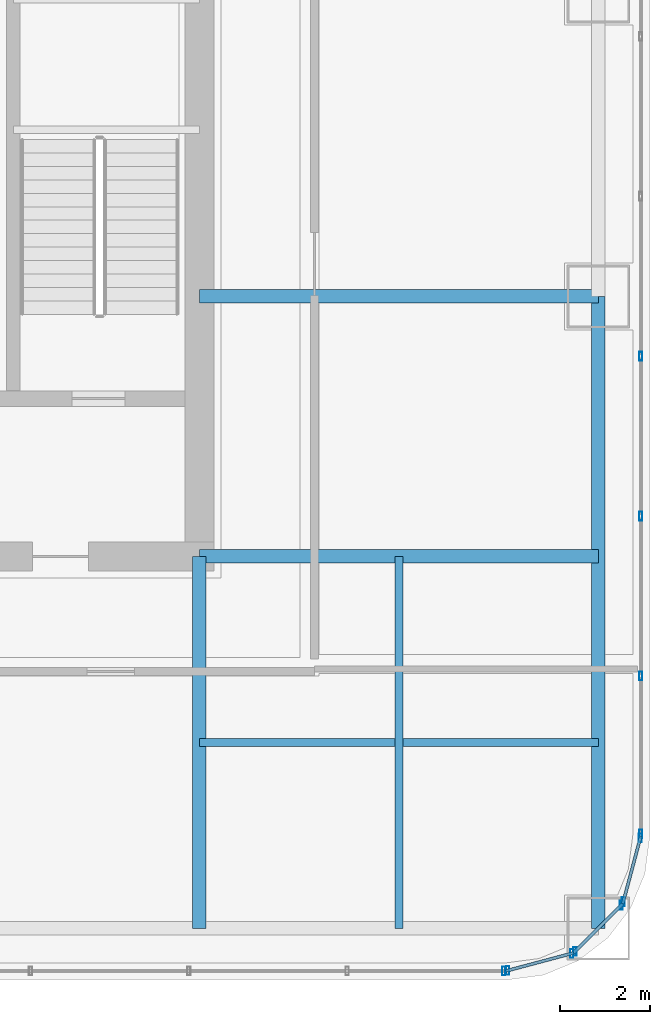
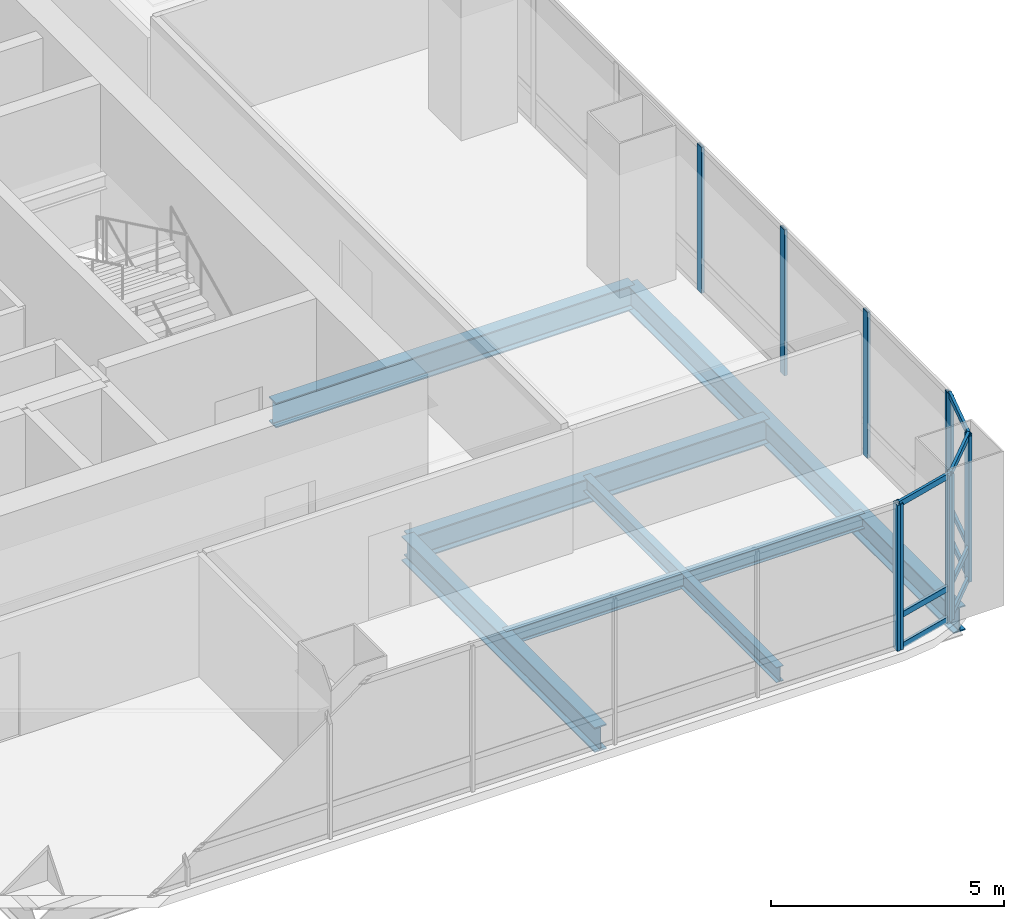
# One storey, part 15 of 37: 20 members, 6 beams, 5 elements without a shape of their own.
"""IFC4 building model written with IfcOpenShell, lengths in metres."""

from ifc_helpers import new_model, si_unit, direction, frame, origin, origin_2d, place, context, subcontext, project, spatial, hollow_rectangle, i_section, extrude, material, material_profile, profile_set, type_object, element, aggregate, save


model = new_model("IFC4")

# Units and contexts
model_context = context("Model", 3, precision=1e-05, world=origin(), true_north=direction((0.0, 1.0)))
body_context = subcontext(model_context, "Body", "Model", "MODEL_VIEW")
ifc_project = project(units=[si_unit("LENGTHUNIT", "METRE"), si_unit("AREAUNIT", "SQUARE_METRE"), si_unit("VOLUMEUNIT", "CUBIC_METRE"), si_unit("PLANEANGLEUNIT", "RADIAN"), si_unit("MASSUNIT", "GRAM", prefix="KILO")], contexts=[model_context])

# Site, building, storey
site_placement = place(None, origin())
site = spatial("IfcSite", under=ifc_project, at=site_placement, CompositionType="ELEMENT")
building_placement = place(site_placement, origin())
building = spatial("IfcBuilding", under=site, at=building_placement, Name="Punatoya Terracotta Tower", CompositionType="ELEMENT")
storey_placement = place(building_placement, frame((0.0, 0.0, 164.10009765625)))
storey = spatial("IfcBuildingStorey", under=building, at=storey_placement, Name="L38", CompositionType="ELEMENT", Elevation=164.10009765625)

# Beams
ifc_material_1 = material(Name="Steel S355", Category="steel")
ifc_material_profile_1 = material_profile(ifc_material_1, i_section(OverallWidth=0.300048828125, OverallDepth=0.64990234375, WebThickness=0.01611328125, FlangeThickness=0.031005859375, FilletRadius=0.01806640625, at=origin_2d()))
ifc_profile_set_1 = profile_set([ifc_material_profile_1], Name="Steel S355")
beam_type_1 = type_object("IfcBeamType", Name="BM-PRI-650", PredefinedType="BEAM", material=ifc_profile_set_1)
beam_1_placement = place(storey_placement, frame((19.10009765625, -17.5, -0.545166015625), z_axis=(0.0, 1.0, 0.0), x_axis=(-1.0, 0.0, 0.0)))
element("IfcBeam", 1, at=beam_1_placement, inside=storey, type_object=beam_type_1, Name="BM-L38-RG-E1", PredefinedType="BEAM", context=body_context, shape_type="SweptSolid", body=[
    extrude(i_section(OverallWidth=0.300048828125, OverallDepth=0.64990234375, WebThickness=0.01611328125, FlangeThickness=0.031005859375, FilletRadius=0.01806640625, at=origin_2d()), origin(), (0.0, 0.0, 1.0), 14.10009765625),
])
for number, where, z_axis, x_axis, name in (
    (2, (10.199951171875, -9.199951171875, -0.545166015625), (1.0, 0.0, 0.0), (0.0, 1.0, 0.0), "BM-L38-PR-ES"),
    (3, (10.199951171875, -3.39990234375, -0.545166015625), (1.0, 0.0, 0.0), (0.0, 1.0, 0.0), "BM-L38-PR-ED"),
):
    element("IfcBeam", number, at=place(storey_placement, frame(where, z_axis=z_axis, x_axis=x_axis)), inside=storey, type_object=beam_type_1, Name=name, PredefinedType="BEAM", context=body_context, shape_type="SweptSolid", body=[
        extrude(i_section(OverallWidth=0.300048828125, OverallDepth=0.64990234375, WebThickness=0.01611328125, FlangeThickness=0.031005859375, FilletRadius=0.01806640625, at=origin_2d()), origin(), (0.0, 0.0, 1.0), 8.900146484375),
    ])
beam_2_placement = place(storey_placement, frame((10.199951171875, -17.5, -0.545166015625), z_axis=(0.0, 1.0, 0.0), x_axis=(-1.0, 0.0, 0.0)))
element("IfcBeam", 4, at=beam_2_placement, inside=storey, type_object=beam_type_1, Name="BM-L38-PR-S4", PredefinedType="BEAM", context=body_context, shape_type="SweptSolid", body=[
    extrude(i_section(OverallWidth=0.300048828125, OverallDepth=0.64990234375, WebThickness=0.01611328125, FlangeThickness=0.031005859375, FilletRadius=0.01806640625, at=origin_2d()), origin(), (0.0, 0.0, 1.0), 8.300048828125),
])
ifc_material_profile_2 = material_profile(ifc_material_1, i_section(OverallWidth=0.179931640625, OverallDepth=0.39990234375, WebThickness=0.008544921875, FlangeThickness=0.013427734375, FilletRadius=0.01806640625, at=origin_2d()))
ifc_profile_set_2 = profile_set([ifc_material_profile_2], Name="Steel S355")
beam_type_2 = type_object("IfcBeamType", Name="BM-SEC-400", PredefinedType="JOIST", material=ifc_profile_set_2)
beam_3_placement = place(storey_placement, frame((10.199951171875, -13.35009765625, -0.420166015625), z_axis=(1.0, 0.0, 0.0), x_axis=(0.0, 1.0, 0.0)))
element("IfcBeam", 5, at=beam_3_placement, inside=storey, type_object=beam_type_2, Name="BM-L38-SJS-2", PredefinedType="JOIST", context=body_context, shape_type="SweptSolid", body=[
    extrude(i_section(OverallWidth=0.179931640625, OverallDepth=0.39990234375, WebThickness=0.008544921875, FlangeThickness=0.013427734375, FilletRadius=0.01806640625, at=origin_2d()), origin(), (0.0, 0.0, 1.0), 8.900146484375),
])
beam_4_placement = place(storey_placement, frame((14.64990234375, -17.5, -0.420166015625), z_axis=(0.0, 1.0, 0.0), x_axis=(-1.0, 0.0, 0.0)))
element("IfcBeam", 6, at=beam_4_placement, inside=storey, type_object=beam_type_2, Name="BM-L38-SJE-1", PredefinedType="JOIST", context=body_context, shape_type="SweptSolid", body=[
    extrude(i_section(OverallWidth=0.179931640625, OverallDepth=0.39990234375, WebThickness=0.008544921875, FlangeThickness=0.013427734375, FilletRadius=0.01806640625, at=origin_2d()), origin(), (0.0, 0.0, 1.0), 8.300048828125),
])

# Curtain wall, member
ifc_material_2 = material(Name="Aluminium 6063-T6 + Double Low-E Glass", Category="aluminium")
curtain_wall_type = type_object("IfcCurtainWallType", Name="CW-M2", PredefinedType="NOTDEFINED", material=ifc_material_2)
curtain_wall_1_placement = place(storey_placement, origin())
curtain_wall_1 = element("IfcCurtainWall", 7, at=curtain_wall_1_placement, inside=storey, type_object=curtain_wall_type, Name="L38 Curtain Wall CW-L38-S01-1", PredefinedType="NOTDEFINED")
ifc_material_3 = material(Name="Aluminium 6063-T6", Category="aluminium")
ifc_material_profile_3 = material_profile(ifc_material_3, hollow_rectangle(XDim=0.072021484375, YDim=0.195068359375, WallThickness=0.00439453125, at=origin_2d()))
ifc_profile_set_3 = profile_set([ifc_material_profile_3], Name="Aluminium 6063-T6")
member_type_1 = type_object("IfcMemberType", Name="CW-MUL-M2", PredefinedType="MULLION", material=ifc_profile_set_3)
member_1_placement = place(storey_placement, frame((16.991943359375, -18.449951171875, 0.0), z_axis=(0.0, 0.0, 1.0), x_axis=(1.0, 0.0, 0.0)))
member_1 = element("IfcMember", 8, at=member_1_placement, type_object=member_type_1, Name="CW-L38-S01-1 Mullion 11", PredefinedType="MULLION", context=body_context, shape_type="SweptSolid", body=[
    extrude(hollow_rectangle(XDim=0.072021484375, YDim=0.195068359375, WallThickness=0.00439453125, at=origin_2d()), origin(), (0.0, 0.0, 1.0), 3.829833984375),
])
aggregate(curtain_wall_1, [member_1])

# Curtain wall, members
curtain_wall_2_placement = place(storey_placement, origin())
curtain_wall_2 = element("IfcCurtainWall", 9, at=curtain_wall_2_placement, inside=storey, type_object=curtain_wall_type, Name="L38 Curtain Wall CW-L38-CRN02", PredefinedType="NOTDEFINED")
member_2_placement = place(storey_placement, frame((17.080322265625, -18.4384765625, 0.0), z_axis=(0.0, 0.0, 1.0), x_axis=(1.0, 0.0, 0.0)))
member_2 = element("IfcMember", 10, at=member_2_placement, type_object=member_type_1, Name="CW-L38-CRN02 Mullion 00", PredefinedType="MULLION", context=body_context, shape_type="SweptSolid", body=[
    extrude(hollow_rectangle(XDim=0.072021484375, YDim=0.195068359375, WallThickness=0.00439453125, at=origin_2d()), origin(), (0.0, 0.0, 1.0), 3.829833984375),
])
member_3_placement = place(storey_placement, frame((18.505615234375, -18.05810546875, 0.0), z_axis=(0.0, 0.0, 1.0), x_axis=(1.0, 0.0, 0.0)))
member_3 = element("IfcMember", 11, at=member_3_placement, type_object=member_type_1, Name="CW-L38-CRN02 Mullion 01", PredefinedType="MULLION", context=body_context, shape_type="SweptSolid", body=[
    extrude(hollow_rectangle(XDim=0.072021484375, YDim=0.195068359375, WallThickness=0.00439453125, at=origin_2d()), origin(), (0.0, 0.0, 1.0), 3.829833984375),
])

curtain_wall_3_placement = place(storey_placement, origin())
curtain_wall_3 = element("IfcCurtainWall", 12, at=curtain_wall_3_placement, inside=storey, type_object=curtain_wall_type, Name="L38 Curtain Wall CW-L38-CRN03", PredefinedType="NOTDEFINED")
member_4_placement = place(storey_placement, frame((18.580810546875, -18.014892578125, 0.0), z_axis=(0.0, 0.0, 1.0), x_axis=(1.0, 0.0, 0.0)))
member_4 = element("IfcMember", 13, at=member_4_placement, type_object=member_type_1, Name="CW-L38-CRN03 Mullion 00", PredefinedType="MULLION", context=body_context, shape_type="SweptSolid", body=[
    extrude(hollow_rectangle(XDim=0.072021484375, YDim=0.195068359375, WallThickness=0.00439453125, at=origin_2d()), origin(), (0.0, 0.0, 1.0), 3.829833984375),
])
member_5_placement = place(storey_placement, frame((19.61474609375, -16.98095703125, 0.0), z_axis=(0.0, 0.0, 1.0), x_axis=(1.0, 0.0, 0.0)))
member_5 = element("IfcMember", 14, at=member_5_placement, type_object=member_type_1, Name="CW-L38-CRN03 Mullion 01", PredefinedType="MULLION", context=body_context, shape_type="SweptSolid", body=[
    extrude(hollow_rectangle(XDim=0.072021484375, YDim=0.195068359375, WallThickness=0.00439453125, at=origin_2d()), origin(), (0.0, 0.0, 1.0), 3.829833984375),
])

curtain_wall_4_placement = place(storey_placement, origin())
curtain_wall_4 = element("IfcCurtainWall", 15, at=curtain_wall_4_placement, inside=storey, type_object=curtain_wall_type, Name="L38 Curtain Wall CW-L38-CRN04", PredefinedType="NOTDEFINED")
member_6_placement = place(storey_placement, frame((19.658203125, -16.905517578125, 0.0), z_axis=(0.0, 0.0, 1.0), x_axis=(1.0, 0.0, 0.0)))
member_6 = element("IfcMember", 16, at=member_6_placement, type_object=member_type_1, Name="CW-L38-CRN04 Mullion 00", PredefinedType="MULLION", context=body_context, shape_type="SweptSolid", body=[
    extrude(hollow_rectangle(XDim=0.072021484375, YDim=0.195068359375, WallThickness=0.00439453125, at=origin_2d()), origin(), (0.0, 0.0, 1.0), 3.829833984375),
])
member_7_placement = place(storey_placement, frame((20.038330078125, -15.48046875, 0.0), z_axis=(0.0, 0.0, 1.0), x_axis=(1.0, 0.0, 0.0)))
member_7 = element("IfcMember", 17, at=member_7_placement, type_object=member_type_1, Name="CW-L38-CRN04 Mullion 01", PredefinedType="MULLION", context=body_context, shape_type="SweptSolid", body=[
    extrude(hollow_rectangle(XDim=0.072021484375, YDim=0.195068359375, WallThickness=0.00439453125, at=origin_2d()), origin(), (0.0, 0.0, 1.0), 3.829833984375),
])

curtain_wall_5_placement = place(storey_placement, origin())
curtain_wall_5 = element("IfcCurtainWall", 18, at=curtain_wall_5_placement, inside=storey, type_object=curtain_wall_type, Name="L38 Curtain Wall CW-L38-E05-1", PredefinedType="NOTDEFINED")
member_8_placement = place(storey_placement, frame((20.050048828125, -15.391845703125, 0.0), z_axis=(0.0, 0.0, 1.0), x_axis=(1.0, 0.0, 0.0)))
member_8 = element("IfcMember", 19, at=member_8_placement, type_object=member_type_1, Name="CW-L38-E05-1 Mullion 00", PredefinedType="MULLION", context=body_context, shape_type="SweptSolid", body=[
    extrude(hollow_rectangle(XDim=0.072021484375, YDim=0.195068359375, WallThickness=0.00439453125, at=origin_2d()), origin(), (0.0, 0.0, 1.0), 3.829833984375),
])
member_9_placement = place(storey_placement, frame((20.050048828125, -11.869384765625, 0.0), z_axis=(0.0, 0.0, 1.0), x_axis=(1.0, 0.0, 0.0)))
member_9 = element("IfcMember", 20, at=member_9_placement, type_object=member_type_1, Name="CW-L38-E05-1 Mullion 01", PredefinedType="MULLION", context=body_context, shape_type="SweptSolid", body=[
    extrude(hollow_rectangle(XDim=0.072021484375, YDim=0.195068359375, WallThickness=0.00439453125, at=origin_2d()), origin(), (0.0, 0.0, 1.0), 3.829833984375),
])
member_10_placement = place(storey_placement, frame((20.050048828125, -8.302001953125, 0.0), z_axis=(0.0, 0.0, 1.0), x_axis=(1.0, 0.0, 0.0)))
member_10 = element("IfcMember", 21, at=member_10_placement, type_object=member_type_1, Name="CW-L38-E05-1 Mullion 02", PredefinedType="MULLION", context=body_context, shape_type="SweptSolid", body=[
    extrude(hollow_rectangle(XDim=0.072021484375, YDim=0.195068359375, WallThickness=0.00439453125, at=origin_2d()), origin(), (0.0, 0.0, 1.0), 3.829833984375),
])
member_11_placement = place(storey_placement, frame((20.050048828125, -4.73486328125, 0.0), z_axis=(0.0, 0.0, 1.0), x_axis=(1.0, 0.0, 0.0)))
member_11 = element("IfcMember", 22, at=member_11_placement, type_object=member_type_1, Name="CW-L38-E05-1 Mullion 03", PredefinedType="MULLION", context=body_context, shape_type="SweptSolid", body=[
    extrude(hollow_rectangle(XDim=0.072021484375, YDim=0.195068359375, WallThickness=0.00439453125, at=origin_2d()), origin(), (0.0, 0.0, 1.0), 3.829833984375),
])
aggregate(curtain_wall_5, [member_8, member_9, member_10, member_11])

# Member
ifc_material_profile_4 = material_profile(ifc_material_3, hollow_rectangle(XDim=0.068115234375, YDim=0.14990234375, WallThickness=0.00390625, at=origin_2d()))
ifc_profile_set_4 = profile_set([ifc_material_profile_4], Name="Aluminium 6063-T6")
member_type_2 = type_object("IfcMemberType", Name="CW-TRN-TYP", PredefinedType="USERDEFINED", material=ifc_profile_set_4)
member_12_placement = place(storey_placement, frame((17.036865234375, -18.449951171875, 0.039794921875), z_axis=(0.966224582397, 0.257701486942, 0.0), x_axis=(-0.257701486942, 0.966224582397, 0.0)))
member_12 = element("IfcMember", 23, at=member_12_placement, type_object=member_type_2, Name="CW-L38-CRN02 Transom 1", ObjectType="TRANSOM", PredefinedType="USERDEFINED", context=body_context, shape_type="SweptSolid", body=[
    extrude(hollow_rectangle(XDim=0.068115234375, YDim=0.14990234375, WallThickness=0.00390625, at=origin_2d()), origin(), (0.0, 0.0, 1.0), 1.565185546875),
])

member_13_placement = place(storey_placement, frame((17.036865234375, -18.449951171875, 0.849853515625), z_axis=(0.966224582397, 0.257701486942, 0.0), x_axis=(-0.257701486942, 0.966224582397, 0.0)))
member_13 = element("IfcMember", 24, at=member_13_placement, type_object=member_type_2, Name="CW-L38-CRN02 Transom 2", ObjectType="TRANSOM", PredefinedType="USERDEFINED", context=body_context, shape_type="SweptSolid", body=[
    extrude(hollow_rectangle(XDim=0.068115234375, YDim=0.14990234375, WallThickness=0.00390625, at=origin_2d()), origin(), (0.0, 0.0, 1.0), 1.565185546875),
])

member_14_placement = place(storey_placement, frame((17.036865234375, -18.449951171875, 3.789794921875), z_axis=(0.966224582397, 0.257701486942, 0.0), x_axis=(-0.257701486942, 0.966224582397, 0.0)))
member_14 = element("IfcMember", 25, at=member_14_placement, type_object=member_type_2, Name="CW-L38-CRN02 Transom 3", ObjectType="TRANSOM", PredefinedType="USERDEFINED", context=body_context, shape_type="SweptSolid", body=[
    extrude(hollow_rectangle(XDim=0.068115234375, YDim=0.14990234375, WallThickness=0.00390625, at=origin_2d()), origin(), (0.0, 0.0, 1.0), 1.565185546875),
])

aggregate(curtain_wall_2, [member_2, member_3, member_12, member_13, member_14])

member_15_placement = place(storey_placement, frame((18.549072265625, -18.046630859375, 0.039794921875), z_axis=(0.707106781187, 0.707106781187, 0.0), x_axis=(-0.707106781187, 0.707106781187, 0.0)))
member_15 = element("IfcMember", 26, at=member_15_placement, type_object=member_type_2, Name="CW-L38-CRN03 Transom 1", ObjectType="TRANSOM", PredefinedType="USERDEFINED", context=body_context, shape_type="SweptSolid", body=[
    extrude(hollow_rectangle(XDim=0.068115234375, YDim=0.14990234375, WallThickness=0.00390625, at=origin_2d()), origin(), (0.0, 0.0, 1.0), 1.552001953125),
])

member_16_placement = place(storey_placement, frame((18.549072265625, -18.046630859375, 0.849853515625), z_axis=(0.707106781187, 0.707106781187, 0.0), x_axis=(-0.707106781187, 0.707106781187, 0.0)))
member_16 = element("IfcMember", 27, at=member_16_placement, type_object=member_type_2, Name="CW-L38-CRN03 Transom 2", ObjectType="TRANSOM", PredefinedType="USERDEFINED", context=body_context, shape_type="SweptSolid", body=[
    extrude(hollow_rectangle(XDim=0.068115234375, YDim=0.14990234375, WallThickness=0.00390625, at=origin_2d()), origin(), (0.0, 0.0, 1.0), 1.552001953125),
])

member_17_placement = place(storey_placement, frame((18.549072265625, -18.046630859375, 3.789794921875), z_axis=(0.707106781187, 0.707106781187, 0.0), x_axis=(-0.707106781187, 0.707106781187, 0.0)))
member_17 = element("IfcMember", 28, at=member_17_placement, type_object=member_type_2, Name="CW-L38-CRN03 Transom 3", ObjectType="TRANSOM", PredefinedType="USERDEFINED", context=body_context, shape_type="SweptSolid", body=[
    extrude(hollow_rectangle(XDim=0.068115234375, YDim=0.14990234375, WallThickness=0.00390625, at=origin_2d()), origin(), (0.0, 0.0, 1.0), 1.552001953125),
])

aggregate(curtain_wall_3, [member_4, member_5, member_15, member_16, member_17])

member_18_placement = place(storey_placement, frame((19.646484375, -16.94921875, 0.039794921875), z_axis=(0.257847112249, 0.966185730957, 0.0), x_axis=(-0.966185730957, 0.257847112249, 0.0)))
member_18 = element("IfcMember", 29, at=member_18_placement, type_object=member_type_2, Name="CW-L38-CRN04 Transom 1", ObjectType="TRANSOM", PredefinedType="USERDEFINED", context=body_context, shape_type="SweptSolid", body=[
    extrude(hollow_rectangle(XDim=0.068115234375, YDim=0.14990234375, WallThickness=0.00390625, at=origin_2d()), origin(), (0.0, 0.0, 1.0), 1.565185546875),
])

member_19_placement = place(storey_placement, frame((19.646484375, -16.94921875, 0.849853515625), z_axis=(0.257847112249, 0.966185730957, 0.0), x_axis=(-0.966185730957, 0.257847112249, 0.0)))
member_19 = element("IfcMember", 30, at=member_19_placement, type_object=member_type_2, Name="CW-L38-CRN04 Transom 2", ObjectType="TRANSOM", PredefinedType="USERDEFINED", context=body_context, shape_type="SweptSolid", body=[
    extrude(hollow_rectangle(XDim=0.068115234375, YDim=0.14990234375, WallThickness=0.00390625, at=origin_2d()), origin(), (0.0, 0.0, 1.0), 1.565185546875),
])

member_20_placement = place(storey_placement, frame((19.646484375, -16.94921875, 3.789794921875), z_axis=(0.257847112249, 0.966185730957, 0.0), x_axis=(-0.966185730957, 0.257847112249, 0.0)))
member_20 = element("IfcMember", 31, at=member_20_placement, type_object=member_type_2, Name="CW-L38-CRN04 Transom 3", ObjectType="TRANSOM", PredefinedType="USERDEFINED", context=body_context, shape_type="SweptSolid", body=[
    extrude(hollow_rectangle(XDim=0.068115234375, YDim=0.14990234375, WallThickness=0.00390625, at=origin_2d()), origin(), (0.0, 0.0, 1.0), 1.565185546875),
])

aggregate(curtain_wall_4, [member_6, member_7, member_18, member_19, member_20])

save(model, "model.ifc")
